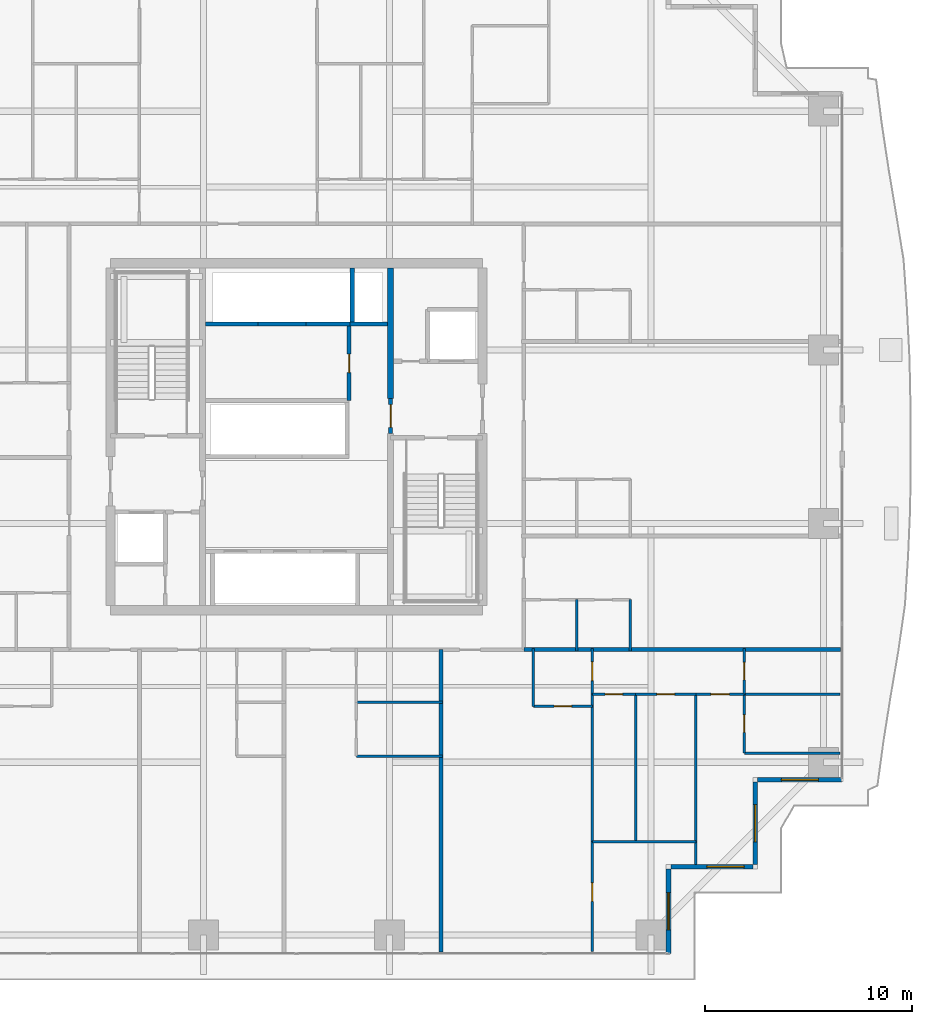
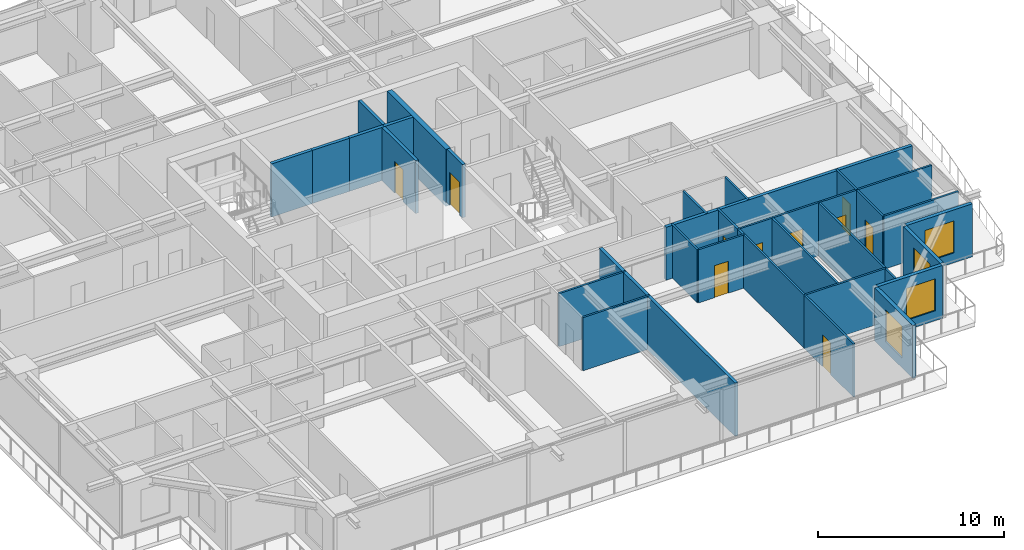
# One storey, part 29 of 38: 33 walls, 10 doors, 4 windows, 14 openings.
"""IFC4 building model written with IfcOpenShell, lengths in metres."""

from ifc_helpers import new_model, si_unit, direction, frame, frame_2d, origin, place, context, subcontext, project, spatial, rectangle, extrude, source, transform, mapped, material, layer, layer_set, type_object, element, fill, save


model = new_model("IFC4")

# Units and contexts
model_context = context("Model", 3, precision=1e-05, world=origin(), true_north=direction((0.0, 1.0)))
body_context = subcontext(model_context, "Body", "Model", "MODEL_VIEW")
ifc_project = project(units=[si_unit("LENGTHUNIT", "METRE"), si_unit("AREAUNIT", "SQUARE_METRE"), si_unit("VOLUMEUNIT", "CUBIC_METRE"), si_unit("PLANEANGLEUNIT", "RADIAN"), si_unit("MASSUNIT", "GRAM", prefix="KILO")], contexts=[model_context])

# Site, building, storey
site_placement = place(None, origin())
site = spatial("IfcSite", under=ifc_project, at=site_placement, CompositionType="ELEMENT")
building_placement = place(site_placement, origin())
building = spatial("IfcBuilding", under=site, at=building_placement, Name="Serunith Strait Residences", CompositionType="ELEMENT")
storey_placement = place(building_placement, frame((0.0, 0.0, 67.949951171875)))
storey = spatial("IfcBuildingStorey", under=building, at=storey_placement, Name="L16", CompositionType="ELEMENT", Elevation=67.949951171875)

# Wall, opening, window
ifc_material_1 = material(Name="Pale-Champagne Aluminium Insulated Panel", Category="aluminium")
ifc_layer_1 = layer(ifc_material_1, 0.219970703125, Name="Pale-Champagne Aluminium Insulated Panel")
ifc_layer_set_1 = layer_set([ifc_layer_1], Name="Pale-Champagne Aluminium Insulated Panel")
wall_type_1 = type_object("IfcWallType", Name="EW-ALUM-220", PredefinedType="ELEMENTEDWALL", material=ifc_layer_set_1)
wall_1_placement = place(storey_placement, frame((50.39990234375, 0.199951171875, 0.0), z_axis=(0.0, 0.0, 1.0), x_axis=(0.0, 1.0, 0.0)))
wall_1 = element("IfcWall", 1, at=wall_1_placement, inside=storey, type_object=wall_type_1, Name="L16 Girih Serrated Corner Wall 02", PredefinedType="ELEMENTEDWALL", context=body_context, shape_type="SweptSolid", body=[
    extrude(rectangle(XDim=4.090087890625, YDim=0.219970703125, at=frame_2d((2.044921875, 0.0))), origin(), (0.0, 0.0, 1.0), 3.47509765625),
])
opening_1_placement = place(wall_1_placement, frame((1.14501953125, 0.0, 0.64990234375)))
opening_1 = element("IfcOpeningElement", 2, at=opening_1_placement, cuts=wall_1, Name="Opening W-01", PredefinedType="OPENING", context=body_context, shape_type="SweptSolid", body=[
    extrude(rectangle(XDim=1.800048828125, YDim=2.10009765625, at=frame_2d((0.89990234375, 1.050048828125))), frame((0.0, 0.1201171875, 0.0), z_axis=(0.0, -1.0, 0.0), x_axis=(1.0, 0.0, 0.0)), (0.0, 0.0, 1.0), 0.239990234375),
])
ifc_material_2 = material(Name="Ceramic-Fritted Operable Aluminium Window Glass", Category="aluminium")
window_type = type_object("IfcWindowType", Name="WIN-C1", PartitioningType="DOUBLE_PANEL_VERTICAL", PredefinedType="WINDOW", material=ifc_material_2)
shared_shape_1 = source(origin(), body_context, "Body", "SweptSolid", [
    extrude(rectangle(XDim=1.800048828125, YDim=2.10009765625, at=frame_2d((0.89990234375, 1.050048828125))), frame((0.0, 0.030029296875, 0.0), z_axis=(0.0, -1.0, 0.0), x_axis=(1.0, 0.0, 0.0)), (0.0, 0.0, 1.0), 0.06005859375),
])
window_1_placement = place(opening_1_placement, origin())
window_1 = element("IfcWindow", 3, at=window_1_placement, inside=storey, type_object=window_type, Name="L16 Corner Operable Fritted Window 02", OverallHeight=2.10009765625, OverallWidth=1.800048828125, PartitioningType="SINGLE_PANEL", PredefinedType="WINDOW", context=body_context, shape_type="MappedRepresentation", body=[
    mapped(shared_shape_1, transform((0.0, 0.0, 0.0), scale=1.0)),
])
fill(opening_1, window_1)

wall_2_placement = place(storey_placement, frame((50.510009765625, 4.39990234375, 0.0), z_axis=(0.0, 0.0, 1.0), x_axis=(1.0, 0.0, 0.0)))
wall_2 = element("IfcWall", 4, at=wall_2_placement, inside=storey, type_object=wall_type_1, Name="L16 Girih Serrated Corner Wall 03", PredefinedType="ELEMENTEDWALL", context=body_context, shape_type="SweptSolid", body=[
    extrude(rectangle(XDim=3.97998046875, YDim=0.219970703125, at=frame_2d((1.989990234375, 0.0))), origin(), (0.0, 0.0, 1.0), 3.47509765625),
])
opening_2_placement = place(wall_2_placement, frame((1.743896484375, 0.0, 0.64990234375)))
opening_2 = element("IfcOpeningElement", 5, at=opening_2_placement, cuts=wall_2, Name="Opening W-01", PredefinedType="OPENING", context=body_context, shape_type="SweptSolid", body=[
    extrude(rectangle(XDim=1.800048828125, YDim=2.10009765625, at=frame_2d((0.89990234375, 1.050048828125))), frame((0.0, 0.1201171875, 0.0), z_axis=(0.0, -1.0, 0.0), x_axis=(1.0, 0.0, 0.0)), (0.0, 0.0, 1.0), 0.239990234375),
])
window_2_placement = place(opening_2_placement, origin())
window_2 = element("IfcWindow", 6, at=window_2_placement, inside=storey, type_object=window_type, Name="L16 Corner Operable Fritted Window 03", OverallHeight=2.10009765625, OverallWidth=1.800048828125, PartitioningType="SINGLE_PANEL", PredefinedType="WINDOW", context=body_context, shape_type="MappedRepresentation", body=[
    mapped(shared_shape_1, transform((0.0, 0.0, 0.0), scale=1.0)),
])
fill(opening_2, window_2)

wall_3_placement = place(storey_placement, frame((54.60009765625, 4.510009765625, 0.0), z_axis=(0.0, 0.0, 1.0), x_axis=(0.0, 1.0, 0.0)))
wall_3 = element("IfcWall", 7, at=wall_3_placement, inside=storey, type_object=wall_type_1, Name="L16 Girih Serrated Corner Wall 04", PredefinedType="ELEMENTEDWALL", context=body_context, shape_type="SweptSolid", body=[
    extrude(rectangle(XDim=3.97998046875, YDim=0.219970703125, at=frame_2d((1.989990234375, 0.0))), origin(), (0.0, 0.0, 1.0), 3.47509765625),
])
opening_3_placement = place(wall_3_placement, frame((1.090087890625, 0.0, 0.64990234375)))
opening_3 = element("IfcOpeningElement", 8, at=opening_3_placement, cuts=wall_3, Name="Opening W-01", PredefinedType="OPENING", context=body_context, shape_type="SweptSolid", body=[
    extrude(rectangle(XDim=1.800048828125, YDim=2.10009765625, at=frame_2d((0.89990234375, 1.050048828125))), frame((0.0, 0.1201171875, 0.0), z_axis=(0.0, -1.0, 0.0), x_axis=(1.0, 0.0, 0.0)), (0.0, 0.0, 1.0), 0.239990234375),
])
window_3_placement = place(opening_3_placement, origin())
window_3 = element("IfcWindow", 9, at=window_3_placement, inside=storey, type_object=window_type, Name="L16 Corner Operable Fritted Window 04", OverallHeight=2.10009765625, OverallWidth=1.800048828125, PartitioningType="SINGLE_PANEL", PredefinedType="WINDOW", context=body_context, shape_type="MappedRepresentation", body=[
    mapped(shared_shape_1, transform((0.0, 0.0, 0.0), scale=1.0)),
])
fill(opening_3, window_3)

wall_4_placement = place(storey_placement, frame((54.7099609375, 8.60009765625, 0.0), z_axis=(0.0, 0.0, 1.0), x_axis=(1.0, 0.0, 0.0)))
wall_4 = element("IfcWall", 10, at=wall_4_placement, inside=storey, type_object=wall_type_1, Name="L16 Girih Serrated Corner Wall 05", PredefinedType="ELEMENTEDWALL", context=body_context, shape_type="SweptSolid", body=[
    extrude(rectangle(XDim=4.090087890625, YDim=0.219970703125, at=frame_2d((2.044921875, 0.0))), origin(), (0.0, 0.0, 1.0), 3.47509765625),
])
opening_4_placement = place(wall_4_placement, frame((1.14501953125, 0.0, 0.64990234375)))
opening_4 = element("IfcOpeningElement", 11, at=opening_4_placement, cuts=wall_4, Name="Opening W-01", PredefinedType="OPENING", context=body_context, shape_type="SweptSolid", body=[
    extrude(rectangle(XDim=1.800048828125, YDim=2.10009765625, at=frame_2d((0.89990234375, 1.050048828125))), frame((0.0, 0.1201171875, 0.0), z_axis=(0.0, -1.0, 0.0), x_axis=(1.0, 0.0, 0.0)), (0.0, 0.0, 1.0), 0.239990234375),
])
window_4_placement = place(opening_4_placement, origin())
window_4 = element("IfcWindow", 12, at=window_4_placement, inside=storey, type_object=window_type, Name="L16 Corner Operable Fritted Window 05", OverallHeight=2.10009765625, OverallWidth=1.800048828125, PartitioningType="SINGLE_PANEL", PredefinedType="WINDOW", context=body_context, shape_type="MappedRepresentation", body=[
    mapped(shared_shape_1, transform((0.0, 0.0, 0.0), scale=1.0)),
])
fill(opening_4, window_4)

# Walls
ifc_material_3 = material(Name="Lightweight steel-stud gypsum partition", Category="steel")
ifc_layer_2 = layer(ifc_material_3, 0.1201171875, Name="Lightweight steel-stud gypsum partition")
ifc_layer_set_2 = layer_set([ifc_layer_2], Name="Lightweight steel-stud gypsum partition")
wall_type_2 = type_object("IfcWallType", Name="IW-PART-120", PredefinedType="PARTITIONING", material=ifc_layer_set_2)
for number, where, z_axis, x_axis, name in (
    (13, (35.300048828125, 12.35009765625, 0.0), (0.0, 0.0, 1.0), (1.0, 0.0, 0.0), "L16 Partition Wall 049"),
    (14, (35.300048828125, 9.75, 0.0), (0.0, 0.0, 1.0), (1.0, 0.0, 0.0), "L16 Partition Wall 050"),
):
    element("IfcWall", number, at=place(storey_placement, frame(where, z_axis=z_axis, x_axis=x_axis)), inside=storey, type_object=wall_type_2, Name=name, PredefinedType="PARTITIONING", context=body_context, shape_type="SweptSolid", body=[
        extrude(rectangle(XDim=4.159912109375, YDim=0.1201171875, at=frame_2d((2.080078125, 0.0))), origin(), (0.0, 0.0, 1.0), 3.489990234375),
    ])

# Wall, opening, door
wall_5_placement = place(storey_placement, frame((43.860107421875, 12.14990234375, 0.0), z_axis=(0.0, 0.0, 1.0), x_axis=(1.0, 0.0, 0.0)))
wall_5 = element("IfcWall", 15, at=wall_5_placement, inside=storey, type_object=wall_type_2, Name="L16 Partition Wall 051", PredefinedType="PARTITIONING", context=body_context, shape_type="SweptSolid", body=[
    extrude(rectangle(XDim=2.849853515625, YDim=0.1201171875, at=frame_2d((1.4248046875, 0.0))), origin(), (0.0, 0.0, 1.0), 3.489990234375),
])
opening_5_placement = place(wall_5_placement, frame((1.0, 0.0, 0.0)))
opening_5 = element("IfcOpeningElement", 16, at=opening_5_placement, cuts=wall_5, Name="Opening D-RM850", PredefinedType="OPENING", context=body_context, shape_type="SweptSolid", body=[
    extrude(rectangle(XDim=0.85009765625, YDim=2.10009765625, at=frame_2d((0.425048828125, 1.050048828125))), frame((0.0, 0.070068359375, 0.0), z_axis=(0.0, -1.0, 0.0), x_axis=(1.0, 0.0, 0.0)), (0.0, 0.0, 1.0), 0.14013671875),
])
ifc_material_4 = material(Name="Engineered timber flush study and kitchen door", Category="wood")
door_type_1 = type_object("IfcDoorType", Name="ID-ROOM-850", OperationType="NOTDEFINED", PredefinedType="DOOR", material=ifc_material_4)
shared_shape_2 = source(origin(), body_context, "Body", "SweptSolid", [
    extrude(rectangle(XDim=0.85009765625, YDim=2.10009765625, at=frame_2d((0.425048828125, 1.050048828125))), frame((0.0, 0.02490234375, 0.0), z_axis=(0.0, -1.0, 0.0), x_axis=(1.0, 0.0, 0.0)), (0.0, 0.0, 1.0), 0.050048828125),
])
door_1_placement = place(opening_5_placement, origin())
door_1 = element("IfcDoor", 17, at=door_1_placement, inside=storey, type_object=door_type_1, Name="L16 Kitchen 1604 Door", OperationType="SINGLE_SWING_RIGHT", OverallHeight=2.10009765625, OverallWidth=0.85009765625, PredefinedType="DOOR", context=body_context, shape_type="MappedRepresentation", body=[
    mapped(shared_shape_2, transform((0.0, 0.0, 0.0), scale=1.0)),
])
fill(opening_5, door_1)

# Wall
wall_6_placement = place(storey_placement, frame((43.860107421875, 12.14990234375, 0.0), z_axis=(0.0, 0.0, 1.0), x_axis=(0.0, 1.0, 0.0)))
element("IfcWall", 18, at=wall_6_placement, inside=storey, type_object=wall_type_2, Name="L16 Partition Wall 052", PredefinedType="PARTITIONING", context=body_context, shape_type="SweptSolid", body=[
    extrude(rectangle(XDim=2.81005859375, YDim=0.1201171875, at=frame_2d((1.405029296875, 0.0))), origin(), (0.0, 0.0, 1.0), 3.489990234375),
])

# Wall, opening, door
wall_7_placement = place(storey_placement, frame((46.7099609375, 12.75, 0.0), z_axis=(0.0, 0.0, 1.0), x_axis=(0.0, 1.0, 0.0)))
wall_7 = element("IfcWall", 19, at=wall_7_placement, inside=storey, type_object=wall_type_2, Name="L16 Partition Wall 053", PredefinedType="PARTITIONING", context=body_context, shape_type="SweptSolid", body=[
    extrude(rectangle(XDim=2.2099609375, YDim=0.1201171875, at=frame_2d((1.10498046875, 0.0))), origin(), (0.0, 0.0, 1.0), 3.489990234375),
])
opening_6_placement = place(wall_7_placement, frame((0.655029296875, 0.0, 0.0)))
opening_6 = element("IfcOpeningElement", 20, at=opening_6_placement, cuts=wall_7, Name="Opening D-RM900", PredefinedType="OPENING", context=body_context, shape_type="SweptSolid", body=[
    extrude(rectangle(XDim=0.89990234375, YDim=2.10009765625, at=frame_2d((0.449951171875, 1.050048828125))), frame((0.0, 0.070068359375, 0.0), z_axis=(0.0, -1.0, 0.0), x_axis=(1.0, 0.0, 0.0)), (0.0, 0.0, 1.0), 0.14013671875),
])
ifc_material_5 = material(Name="Engineered timber flush bedroom door", Category="wood")
door_type_2 = type_object("IfcDoorType", Name="ID-ROOM-900", OperationType="NOTDEFINED", PredefinedType="DOOR", material=ifc_material_5)
shared_shape_3 = source(origin(), body_context, "Body", "SweptSolid", [
    extrude(rectangle(XDim=0.89990234375, YDim=2.10009765625, at=frame_2d((0.449951171875, 1.050048828125))), frame((0.0, 0.02490234375, 0.0), z_axis=(0.0, -1.0, 0.0), x_axis=(1.0, 0.0, 0.0)), (0.0, 0.0, 1.0), 0.050048828125),
])
door_2_placement = place(opening_6_placement, origin())
door_2 = element("IfcDoor", 21, at=door_2_placement, inside=storey, type_object=door_type_2, Name="L16 Hall E 1604 Door", OperationType="SINGLE_SWING_LEFT", OverallHeight=2.10009765625, OverallWidth=0.89990234375, PredefinedType="DOOR", context=body_context, shape_type="MappedRepresentation", body=[
    mapped(shared_shape_3, transform((0.0, 0.0, 0.0), scale=1.0)),
])
fill(opening_6, door_2)

wall_8_placement = place(storey_placement, frame((46.7099609375, 0.294921875, 0.0), z_axis=(0.0, 0.0, 1.0), x_axis=(0.0, 1.0, 0.0)))
wall_8 = element("IfcWall", 22, at=wall_8_placement, inside=storey, type_object=wall_type_2, Name="L16 Partition Wall 054", PredefinedType="PARTITIONING", context=body_context, shape_type="SweptSolid", body=[
    extrude(rectangle(XDim=5.31005859375, YDim=0.1201171875, at=frame_2d((2.655029296875, 0.0))), origin(), (0.0, 0.0, 1.0), 3.489990234375),
])
opening_7_placement = place(wall_8_placement, frame((2.426025390625, 0.0, 0.0)))
opening_7 = element("IfcOpeningElement", 23, at=opening_7_placement, cuts=wall_8, Name="Opening D-RM900", PredefinedType="OPENING", context=body_context, shape_type="SweptSolid", body=[
    extrude(rectangle(XDim=0.89990234375, YDim=2.10009765625, at=frame_2d((0.449951171875, 1.050048828125))), frame((0.0, 0.070068359375, 0.0), z_axis=(0.0, -1.0, 0.0), x_axis=(1.0, 0.0, 0.0)), (0.0, 0.0, 1.0), 0.14013671875),
])
door_3_placement = place(opening_7_placement, origin())
door_3 = element("IfcDoor", 24, at=door_3_placement, inside=storey, type_object=door_type_2, Name="L16 Study 1 1604 Door", OperationType="SINGLE_SWING_RIGHT", OverallHeight=2.10009765625, OverallWidth=0.89990234375, PredefinedType="DOOR", context=body_context, shape_type="MappedRepresentation", body=[
    mapped(shared_shape_3, transform((0.0, 0.0, 0.0), scale=1.0)),
])
fill(opening_7, door_3)

# Walls
wall_9_placement = place(storey_placement, frame((46.7099609375, 5.60693359375, 0.0), z_axis=(0.0, 0.0, 1.0), x_axis=(0.0, 1.0, 0.0)))
element("IfcWall", 25, at=wall_9_placement, inside=storey, type_object=wall_type_2, Name="L16 Partition Wall 055", PredefinedType="PARTITIONING", context=body_context, shape_type="SweptSolid", body=[
    extrude(rectangle(XDim=7.14111328125, YDim=0.1201171875, at=frame_2d((3.570556640625, 0.0))), origin(), (0.0, 0.0, 1.0), 3.489990234375),
])
wall_10_placement = place(storey_placement, frame((46.7099609375, 5.60498046875, 0.0), z_axis=(0.0, 0.0, 1.0), x_axis=(1.0, 0.0, 0.0)))
element("IfcWall", 26, at=wall_10_placement, inside=storey, type_object=wall_type_2, Name="L16 Partition Wall 056", PredefinedType="PARTITIONING", context=body_context, shape_type="SweptSolid", body=[
    extrude(rectangle(XDim=5.010009765625, YDim=0.1201171875, at=frame_2d((2.5048828125, 0.0))), origin(), (0.0, 0.0, 1.0), 3.489990234375),
])
wall_11_placement = place(storey_placement, frame((51.719970703125, 4.4951171875, 0.0), z_axis=(0.0, 0.0, 1.0), x_axis=(0.0, 1.0, 0.0)))
element("IfcWall", 27, at=wall_11_placement, inside=storey, type_object=wall_type_2, Name="L16 Partition Wall 057", PredefinedType="PARTITIONING", context=body_context, shape_type="SweptSolid", body=[
    extrude(rectangle(XDim=8.2548828125, YDim=0.1201171875, at=frame_2d((4.12744140625, 0.0))), origin(), (0.0, 0.0, 1.0), 3.489990234375),
])
wall_12_placement = place(storey_placement, frame((48.81005859375, 5.60498046875, 0.0), z_axis=(0.0, 0.0, 1.0), x_axis=(0.0, 1.0, 0.0)))
element("IfcWall", 28, at=wall_12_placement, inside=storey, type_object=wall_type_2, Name="L16 Partition Wall 058", PredefinedType="PARTITIONING", context=body_context, shape_type="SweptSolid", body=[
    extrude(rectangle(XDim=7.14501953125, YDim=0.1201171875, at=frame_2d((3.572509765625, 0.0))), origin(), (0.0, 0.0, 1.0), 3.489990234375),
])

# Wall, opening, door
wall_13_placement = place(storey_placement, frame((46.7099609375, 12.75, 0.0), z_axis=(0.0, 0.0, 1.0), x_axis=(1.0, 0.0, 0.0)))
wall_13 = element("IfcWall", 29, at=wall_13_placement, inside=storey, type_object=wall_type_2, Name="L16 Partition Wall 059", PredefinedType="PARTITIONING", context=body_context, shape_type="SweptSolid", body=[
    extrude(rectangle(XDim=2.10009765625, YDim=0.1201171875, at=frame_2d((1.050048828125, 0.0))), origin(), (0.0, 0.0, 1.0), 3.489990234375),
])
opening_8_placement = place(wall_13_placement, frame((0.625, 0.0, 0.0)))
opening_8 = element("IfcOpeningElement", 30, at=opening_8_placement, cuts=wall_13, Name="Opening D-BTH850", PredefinedType="OPENING", context=body_context, shape_type="SweptSolid", body=[
    extrude(rectangle(XDim=0.85009765625, YDim=2.10009765625, at=frame_2d((0.425048828125, 1.050048828125))), frame((0.0, 0.070068359375, 0.0), z_axis=(0.0, -1.0, 0.0), x_axis=(1.0, 0.0, 0.0)), (0.0, 0.0, 1.0), 0.14013671875),
])
ifc_material_6 = material(Name="Moisture-resistant timber bathroom door", Category="wood")
door_type_3 = type_object("IfcDoorType", Name="ID-BATH-850", OperationType="NOTDEFINED", PredefinedType="DOOR", material=ifc_material_6)
door_4_placement = place(opening_8_placement, origin())
door_4 = element("IfcDoor", 31, at=door_4_placement, inside=storey, type_object=door_type_3, Name="L16 Bathroom 1604 Door", OperationType="SINGLE_SWING_LEFT", OverallHeight=2.10009765625, OverallWidth=0.85009765625, PredefinedType="DOOR", context=body_context, shape_type="MappedRepresentation", body=[
    mapped(shared_shape_2, transform((0.0, 0.0, 0.0), scale=1.0)),
])
fill(opening_8, door_4)

wall_14_placement = place(storey_placement, frame((48.81201171875, 12.75, 0.0), z_axis=(0.0, 0.0, 1.0), x_axis=(1.0, 0.0, 0.0)))
wall_14 = element("IfcWall", 32, at=wall_14_placement, inside=storey, type_object=wall_type_2, Name="L16 Partition Wall 060", PredefinedType="PARTITIONING", context=body_context, shape_type="SweptSolid", body=[
    extrude(rectangle(XDim=2.907958984375, YDim=0.1201171875, at=frame_2d((1.4541015625, 0.0))), origin(), (0.0, 0.0, 1.0), 3.489990234375),
])
opening_9_placement = place(wall_14_placement, frame((1.029052734375, 0.0, 0.0)))
opening_9 = element("IfcOpeningElement", 33, at=opening_9_placement, cuts=wall_14, Name="Opening D-RM850", PredefinedType="OPENING", context=body_context, shape_type="SweptSolid", body=[
    extrude(rectangle(XDim=0.85009765625, YDim=2.10009765625, at=frame_2d((0.425048828125, 1.050048828125))), frame((0.0, 0.070068359375, 0.0), z_axis=(0.0, -1.0, 0.0), x_axis=(1.0, 0.0, 0.0)), (0.0, 0.0, 1.0), 0.14013671875),
])
door_5_placement = place(opening_9_placement, origin())
door_5 = element("IfcDoor", 34, at=door_5_placement, inside=storey, type_object=door_type_1, Name="L16 Study 1604 Door", OperationType="SINGLE_SWING_RIGHT", OverallHeight=2.10009765625, OverallWidth=0.85009765625, PredefinedType="DOOR", context=body_context, shape_type="MappedRepresentation", body=[
    mapped(shared_shape_2, transform((0.0, 0.0, 0.0), scale=1.0)),
])
fill(opening_9, door_5)

wall_15_placement = place(storey_placement, frame((51.721923828125, 12.75, 0.0), z_axis=(0.0, 0.0, 1.0), x_axis=(1.0, 0.0, 0.0)))
wall_15 = element("IfcWall", 35, at=wall_15_placement, inside=storey, type_object=wall_type_2, Name="L16 Partition Wall 061", PredefinedType="PARTITIONING", context=body_context, shape_type="SweptSolid", body=[
    extrude(rectangle(XDim=2.34814453125, YDim=0.1201171875, at=frame_2d((1.174072265625, 0.0))), origin(), (0.0, 0.0, 1.0), 3.489990234375),
])
opening_10_placement = place(wall_15_placement, frame((0.72412109375, 0.0, 0.0)))
opening_10 = element("IfcOpeningElement", 36, at=opening_10_placement, cuts=wall_15, Name="Opening D-RM900", PredefinedType="OPENING", context=body_context, shape_type="SweptSolid", body=[
    extrude(rectangle(XDim=0.89990234375, YDim=2.10009765625, at=frame_2d((0.449951171875, 1.050048828125))), frame((0.0, 0.070068359375, 0.0), z_axis=(0.0, -1.0, 0.0), x_axis=(1.0, 0.0, 0.0)), (0.0, 0.0, 1.0), 0.14013671875),
])
door_6_placement = place(opening_10_placement, origin())
door_6 = element("IfcDoor", 37, at=door_6_placement, inside=storey, type_object=door_type_2, Name="L16 Master Bedroom E 1604 Door", OperationType="SINGLE_SWING_LEFT", OverallHeight=2.10009765625, OverallWidth=0.89990234375, PredefinedType="DOOR", context=body_context, shape_type="MappedRepresentation", body=[
    mapped(shared_shape_3, transform((0.0, 0.0, 0.0), scale=1.0)),
])
fill(opening_10, door_6)

# Walls
wall_16_placement = place(storey_placement, frame((54.070068359375, 9.89404296875, 0.0), z_axis=(0.0, 0.0, 1.0), x_axis=(1.0, 0.0, 0.0)))
element("IfcWall", 38, at=wall_16_placement, inside=storey, type_object=wall_type_2, Name="L16 Partition Wall 062", PredefinedType="PARTITIONING", context=body_context, shape_type="SweptSolid", body=[
    extrude(rectangle(XDim=4.635009765625, YDim=0.1201171875, at=frame_2d((2.3173828125, 0.0))), origin(), (0.0, 0.0, 1.0), 3.489990234375),
])
wall_17_placement = place(storey_placement, frame((54.072021484375, 12.75, 0.0), z_axis=(0.0, 0.0, 1.0), x_axis=(1.0, 0.0, 0.0)))
element("IfcWall", 39, at=wall_17_placement, inside=storey, type_object=wall_type_2, Name="L16 Partition Wall 063", PredefinedType="PARTITIONING", context=body_context, shape_type="SweptSolid", body=[
    extrude(rectangle(XDim=4.633056640625, YDim=0.1201171875, at=frame_2d((2.31640625, 0.0))), origin(), (0.0, 0.0, 1.0), 3.489990234375),
])

# Wall, opening, door
wall_18_placement = place(storey_placement, frame((54.070068359375, 9.89404296875, 0.0), z_axis=(0.0, 0.0, 1.0), x_axis=(0.0, 1.0, 0.0)))
wall_18 = element("IfcWall", 40, at=wall_18_placement, inside=storey, type_object=wall_type_2, Name="L16 Partition Wall 064", PredefinedType="PARTITIONING", context=body_context, shape_type="SweptSolid", body=[
    extrude(rectangle(XDim=2.85595703125, YDim=0.1201171875, at=frame_2d((1.427978515625, 0.0))), origin(), (0.0, 0.0, 1.0), 3.489990234375),
])
opening_11_placement = place(wall_18_placement, frame((1.0029296875, 0.0, 0.0)))
opening_11 = element("IfcOpeningElement", 41, at=opening_11_placement, cuts=wall_18, Name="Opening D-BTH850", PredefinedType="OPENING", context=body_context, shape_type="SweptSolid", body=[
    extrude(rectangle(XDim=0.85009765625, YDim=2.10009765625, at=frame_2d((0.425048828125, 1.050048828125))), frame((0.0, 0.070068359375, 0.0), z_axis=(0.0, -1.0, 0.0), x_axis=(1.0, 0.0, 0.0)), (0.0, 0.0, 1.0), 0.14013671875),
])
door_7_placement = place(opening_11_placement, origin())
door_7 = element("IfcDoor", 42, at=door_7_placement, inside=storey, type_object=door_type_3, Name="L16 En-suite Bathroom E 1604 Door", OperationType="SINGLE_SWING_RIGHT", OverallHeight=2.10009765625, OverallWidth=0.85009765625, PredefinedType="DOOR", context=body_context, shape_type="MappedRepresentation", body=[
    mapped(shared_shape_2, transform((0.0, 0.0, 0.0), scale=1.0)),
])
fill(opening_11, door_7)

wall_19_placement = place(storey_placement, frame((54.070068359375, 12.751953125, 0.0), z_axis=(0.0, 0.0, 1.0), x_axis=(0.0, 1.0, 0.0)))
wall_19 = element("IfcWall", 43, at=wall_19_placement, inside=storey, type_object=wall_type_2, Name="L16 Partition Wall 065", PredefinedType="PARTITIONING", context=body_context, shape_type="SweptSolid", body=[
    extrude(rectangle(XDim=2.2080078125, YDim=0.1201171875, at=frame_2d((1.10400390625, 0.0))), origin(), (0.0, 0.0, 1.0), 3.489990234375),
])
opening_12_placement = place(wall_19_placement, frame((0.678955078125, 0.0, 0.0)))
opening_12 = element("IfcOpeningElement", 44, at=opening_12_placement, cuts=wall_19, Name="Opening D-RM850", PredefinedType="OPENING", context=body_context, shape_type="SweptSolid", body=[
    extrude(rectangle(XDim=0.85009765625, YDim=2.10009765625, at=frame_2d((0.425048828125, 1.050048828125))), frame((0.0, 0.070068359375, 0.0), z_axis=(0.0, -1.0, 0.0), x_axis=(1.0, 0.0, 0.0)), (0.0, 0.0, 1.0), 0.14013671875),
])
door_8_placement = place(opening_12_placement, origin())
door_8 = element("IfcDoor", 45, at=door_8_placement, inside=storey, type_object=door_type_1, Name="L16 Wardrobe E 1604 Door", OperationType="SINGLE_SWING_LEFT", OverallHeight=2.10009765625, OverallWidth=0.85009765625, PredefinedType="DOOR", context=body_context, shape_type="MappedRepresentation", body=[
    mapped(shared_shape_2, transform((0.0, 0.0, 0.0), scale=1.0)),
])
fill(opening_12, door_8)

# Walls
for number, where, z_axis, x_axis, name in (
    (46, (45.949951171875, 14.840087890625, 0.0), (0.0, 0.0, 1.0), (0.0, 1.0, 0.0), "L16 Partition Wall 109"),
    (47, (48.550048828125, 14.840087890625, 0.0), (0.0, 0.0, 1.0), (0.0, 1.0, 0.0), "L16 Partition Wall 110"),
):
    element("IfcWall", number, at=place(storey_placement, frame(where, z_axis=z_axis, x_axis=x_axis)), inside=storey, type_object=wall_type_2, Name=name, PredefinedType="PARTITIONING", context=body_context, shape_type="SweptSolid", body=[
        extrude(rectangle(XDim=2.47998046875, YDim=0.1201171875, at=frame_2d((1.239990234375, 0.0))), origin(), (0.0, 0.0, 1.0), 3.489990234375),
    ])
ifc_material_7 = material(Name="Twin-stud acoustic gypsum board partition")
ifc_layer_3 = layer(ifc_material_7, 0.199951171875, Name="Twin-stud acoustic gypsum board partition")
ifc_layer_set_3 = layer_set([ifc_layer_3], Name="Twin-stud acoustic gypsum board partition")
wall_type_3 = type_object("IfcWallType", Name="IW-PARTY-200", PredefinedType="PARTITIONING", material=ifc_layer_set_3)
wall_20_placement = place(storey_placement, frame((39.39990234375, 0.281982421875, 0.0), z_axis=(0.0, 0.0, 1.0), x_axis=(0.0, 1.0, 0.0)))
element("IfcWall", 48, at=wall_20_placement, inside=storey, type_object=wall_type_3, Name="L16 Partition Wall 016", PredefinedType="PARTITIONING", context=body_context, shape_type="SweptSolid", body=[
    extrude(rectangle(XDim=14.617919921875, YDim=0.199951171875, at=frame_2d((7.30908203125, 0.0))), origin(), (0.0, 0.0, 1.0), 3.489990234375),
])
wall_21_placement = place(storey_placement, frame((43.39990234375, 14.89990234375, 0.0), z_axis=(0.0, 0.0, 1.0), x_axis=(1.0, 0.0, 0.0)))
element("IfcWall", 49, at=wall_21_placement, inside=storey, type_object=wall_type_3, Name="L16 Partition Wall 021", PredefinedType="PARTITIONING", context=body_context, shape_type="SweptSolid", body=[
    extrude(rectangle(XDim=15.318115234375, YDim=0.199951171875, at=frame_2d((7.6591796875, 0.0))), origin(), (0.0, 0.0, 1.0), 3.489990234375),
])
ifc_material_8 = material(Name="Autoclaved aerated concrete blockwork", Category="masonry")
ifc_layer_4 = layer(ifc_material_8, 0.199951171875, Name="Autoclaved aerated concrete blockwork")
ifc_layer_set_4 = layer_set([ifc_layer_4], Name="Autoclaved aerated concrete blockwork")
wall_type_4 = type_object("IfcWallType", Name="IW-SHAFT-200", PredefinedType="STANDARD", material=ifc_layer_set_4)
wall_22_placement = place(storey_placement, frame((28.0, 30.64990234375, 0.0), z_axis=(0.0, 0.0, 1.0), x_axis=(1.0, 0.0, 0.0)))
element("IfcWall", 50, at=wall_22_placement, inside=storey, type_object=wall_type_4, Name="L16 PL-7 South Shaft Wall", PredefinedType="STANDARD", context=body_context, shape_type="SweptSolid", body=[
    extrude(rectangle(XDim=2.550048828125, YDim=0.199951171875, at=frame_2d((1.27490234375, 0.0))), origin(), (0.0, 0.0, 1.0), 3.489990234375),
])
wall_23_placement = place(storey_placement, frame((30.550048828125, 30.64990234375, 0.0), z_axis=(0.0, 0.0, 1.0), x_axis=(1.0, 0.0, 0.0)))
element("IfcWall", 51, at=wall_23_placement, inside=storey, type_object=wall_type_4, Name="L16 PL-8 South Shaft Wall", PredefinedType="STANDARD", context=body_context, shape_type="SweptSolid", body=[
    extrude(rectangle(XDim=2.300048828125, YDim=0.199951171875, at=frame_2d((1.14990234375, 0.0))), origin(), (0.0, 0.0, 1.0), 3.489990234375),
])
wall_24_placement = place(storey_placement, frame((32.85009765625, 30.64990234375, 0.0), z_axis=(0.0, 0.0, 1.0), x_axis=(1.0, 0.0, 0.0)))
element("IfcWall", 52, at=wall_24_placement, inside=storey, type_object=wall_type_4, Name="L16 PL-9 South Shaft Wall", PredefinedType="STANDARD", context=body_context, shape_type="SweptSolid", body=[
    extrude(rectangle(XDim=2.14990234375, YDim=0.199951171875, at=frame_2d((1.074951171875, 0.0))), origin(), (0.0, 0.0, 1.0), 3.489990234375),
])
wall_25_placement = place(storey_placement, frame((35.0, 30.64990234375, 0.0), z_axis=(0.0, 0.0, 1.0), x_axis=(1.0, 0.0, 0.0)))
element("IfcWall", 53, at=wall_25_placement, inside=storey, type_object=wall_type_4, Name="L16 SL-1 South Shaft Wall", PredefinedType="STANDARD", context=body_context, shape_type="SweptSolid", body=[
    extrude(rectangle(XDim=1.800048828125, YDim=0.199951171875, at=frame_2d((0.89990234375, 0.0))), origin(), (0.0, 0.0, 1.0), 3.489990234375),
])
wall_26_placement = place(storey_placement, frame((35.10009765625, 30.75, 0.0), z_axis=(0.0, 0.0, 1.0), x_axis=(0.0, 1.0, 0.0)))
element("IfcWall", 54, at=wall_26_placement, inside=storey, type_object=wall_type_4, Name="L16 SL-1 West Shaft Wall", PredefinedType="STANDARD", context=body_context, shape_type="SweptSolid", body=[
    extrude(rectangle(XDim=2.625, YDim=0.199951171875, at=frame_2d((1.3125, 0.0))), origin(), (0.0, 0.0, 1.0), 3.489990234375),
])

# Wall, opening, door
wall_27_placement = place(storey_placement, frame((36.949951171875, 25.35205078125, 0.0), z_axis=(0.0, 0.0, 1.0), x_axis=(0.0, 1.0, 0.0)))
wall_27 = element("IfcWall", 55, at=wall_27_placement, inside=storey, type_object=wall_type_4, Name="L16 Partition Wall 010", PredefinedType="STANDARD", context=body_context, shape_type="SweptSolid", body=[
    extrude(rectangle(XDim=1.696044921875, YDim=0.199951171875, at=frame_2d((0.84814453125, 0.0))), origin(), (0.0, 0.0, 1.0), 3.489990234375),
])
opening_13_placement = place(wall_27_placement, frame((0.298095703125, 0.0, 0.0)))
opening_13 = element("IfcOpeningElement", 56, at=opening_13_placement, cuts=wall_27, Name="Opening FD-FFL", PredefinedType="OPENING", context=body_context, shape_type="SweptSolid", body=[
    extrude(rectangle(XDim=1.10009765625, YDim=2.14990234375, at=frame_2d((0.550048828125, 1.074951171875))), frame((0.0, 0.10986328125, 0.0), z_axis=(0.0, -1.0, 0.0), x_axis=(1.0, 0.0, 0.0)), (0.0, 0.0, 1.0), 0.219970703125),
])
ifc_material_9 = material(Name="Glazed steel smoke-lobby fire door", Category="steel")
door_type_4 = type_object("IfcDoorType", Name="FD-FFL-1100", OperationType="NOTDEFINED", PredefinedType="DOOR", material=ifc_material_9)
shared_shape_4 = source(origin(), body_context, "Body", "SweptSolid", [
    extrude(rectangle(XDim=1.10009765625, YDim=2.14990234375, at=frame_2d((0.550048828125, 1.074951171875))), frame((0.0, 0.02490234375, 0.0), z_axis=(0.0, -1.0, 0.0), x_axis=(1.0, 0.0, 0.0)), (0.0, 0.0, 1.0), 0.050048828125),
])
door_9_placement = place(opening_13_placement, origin())
door_9 = element("IfcDoor", 57, at=door_9_placement, inside=storey, type_object=door_type_4, Name="L16 FFL-2 Lift Lobby Door", OperationType="SINGLE_SWING_LEFT", OverallHeight=2.14990234375, OverallWidth=1.10009765625, PredefinedType="DOOR", context=body_context, shape_type="MappedRepresentation", body=[
    mapped(shared_shape_4, transform((0.0, 0.0, 0.0), scale=1.0)),
])
fill(opening_13, door_9)

wall_28_placement = place(storey_placement, frame((34.949951171875, 26.949951171875, 0.0), z_axis=(0.0, 0.0, 1.0), x_axis=(0.0, 1.0, 0.0)))
wall_28 = element("IfcWall", 58, at=wall_28_placement, inside=storey, type_object=wall_type_4, Name="L16 Partition Wall 013", PredefinedType="STANDARD", context=body_context, shape_type="SweptSolid", body=[
    extrude(rectangle(XDim=3.60009765625, YDim=0.199951171875, at=frame_2d((1.800048828125, 0.0))), origin(), (0.0, 0.0, 1.0), 3.489990234375),
])
opening_14_placement = place(wall_28_placement, frame((1.35009765625, 0.0, 0.0)))
opening_14 = element("IfcOpeningElement", 59, at=opening_14_placement, cuts=wall_28, Name="Opening FD-900", PredefinedType="OPENING", context=body_context, shape_type="SweptSolid", body=[
    extrude(rectangle(XDim=0.89990234375, YDim=2.10009765625, at=frame_2d((0.449951171875, 1.050048828125))), frame((0.0, 0.10986328125, 0.0), z_axis=(0.0, -1.0, 0.0), x_axis=(1.0, 0.0, 0.0)), (0.0, 0.0, 1.0), 0.219970703125),
])
ifc_material_10 = material(Name="Powder-coated steel riser door", Category="steel")
door_type_5 = type_object("IfcDoorType", Name="FD-BOH-900", OperationType="NOTDEFINED", PredefinedType="DOOR", material=ifc_material_10)
door_10_placement = place(opening_14_placement, origin())
door_10 = element("IfcDoor", 60, at=door_10_placement, inside=storey, type_object=door_type_5, Name="L16 Core Switchroom Door", OperationType="SINGLE_SWING_LEFT", OverallHeight=2.10009765625, OverallWidth=0.89990234375, PredefinedType="DOOR", context=body_context, shape_type="MappedRepresentation", body=[
    mapped(shared_shape_3, transform((0.0, 0.0, 0.0), scale=1.0)),
])
fill(opening_14, door_10)

# Wall
ifc_material_11 = material(Name="Concrete C80/95", Category="concrete")
ifc_layer_5 = layer(ifc_material_11, 0.300048828125, Name="Concrete C80/95")
ifc_layer_set_5 = layer_set([ifc_layer_5], Name="Concrete C80/95")
wall_type_5 = type_object("IfcWallType", Name="SW-300-C80", PredefinedType="SHEAR", material=ifc_layer_set_5)
wall_29_placement = place(storey_placement, frame((36.949951171875, 27.050048828125, -0.260009765625), z_axis=(0.0, 0.0, 1.0), x_axis=(0.0, 1.0, 0.0)))
element("IfcWall", 61, at=wall_29_placement, inside=storey, type_object=wall_type_5, Name="L16 Core Internal East Web North Pier", PredefinedType="SHEAR", context=body_context, shape_type="SweptSolid", body=[
    extrude(rectangle(XDim=6.324951171875, YDim=0.300048828125, at=frame_2d((3.16259765625, 0.0))), origin(), (0.0, 0.0, 1.0), 3.748046875),
])

save(model, "model.ifc")
